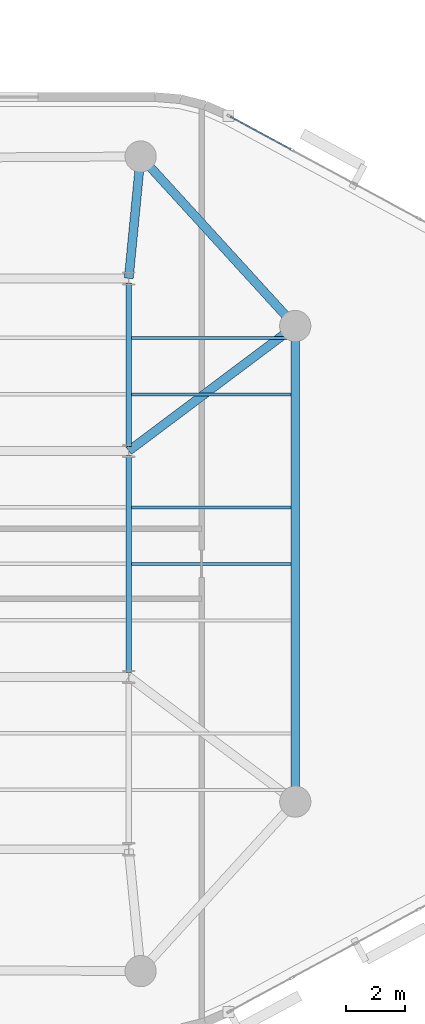
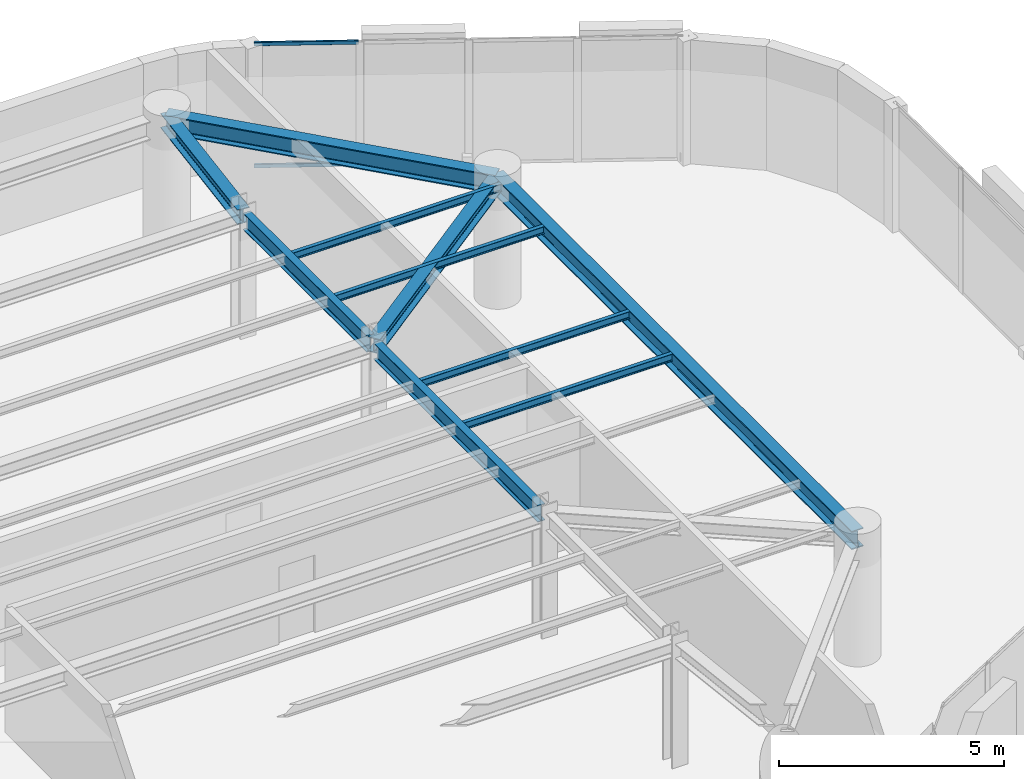
# One storey, part 5 of 13: 10 beams, 2 members, 1 element without a shape of its own.
"""IFC4 building model written with IfcOpenShell, lengths in metres."""

import ifcopenshell
import ifcopenshell.guid

model = None  # the IFC model being written
_history = None  # IfcOwnerHistory: only IFC2X3 demands one
_inside = {}  # id of a spatial element -> (the spatial element, [elements in it])
_under = {}  # id of a project, library or spatial element -> (it, [spatial elements below it])
_declared = {}  # id of a project -> (the project, [libraries it declares])
_typed = {}  # id of a type object -> (the type object, [elements of that type])
_made_of = {}  # id of a material, layer set ... -> (it, [elements and type objects made of it])


def new_model(schema):
    """Start an empty IFC model of exactly this schema.

    Asked for "IFC4X3", IfcOpenShell would pick the latest addendum, in which some entities
    have other attributes; the version numbers below select the first issue.
    IFC2X3 requires an IfcOwnerHistory on every rooted entity: one is made here for all.
    """
    global model, _history
    if schema == "IFC4X3":
        model = ifcopenshell.file(schema_version=(4, 3, 0, 0))
    else:
        model = ifcopenshell.file(schema=schema)
    _inside.clear()
    _under.clear()
    _declared.clear()
    _typed.clear()
    _made_of.clear()
    _history = None
    if model.schema == "IFC2X3":
        org = make("IfcOrganization", Name="unknown")
        user = make(
            "IfcPersonAndOrganization",
            ThePerson=make("IfcPerson", FamilyName="unknown"),
            TheOrganization=org,
        )
        app = make(
            "IfcApplication",
            ApplicationDeveloper=org,
            Version="unknown",
            ApplicationFullName="unknown",
            ApplicationIdentifier="unknown",
        )
        _history = make(
            "IfcOwnerHistory",
            OwningUser=user,
            OwningApplication=app,
            ChangeAction="ADDED",
            CreationDate=0,
        )
    return model


def make(cls, **values):
    """One entity of the class cls with the attributes given. An attribute that is None is left unset."""
    return model.create_entity(
        cls, **{name: value for name, value in values.items() if value is not None}
    )


def rooted(cls, **values):
    """An entity with a GlobalId (a new one), such as an element, a storey or a relation."""
    return make(cls, GlobalId=ifcopenshell.guid.new(), OwnerHistory=_history, **values)


def si_unit(unit_type, name, prefix=None):
    """IfcSIUnit, for example si_unit("LENGTHUNIT", "METRE", prefix="MILLI")."""
    return make("IfcSIUnit", UnitType=unit_type, Prefix=prefix, Name=name)


def assignment(units):
    """IfcUnitAssignment: the units of a project."""
    return None if units is None else make("IfcUnitAssignment", Units=units)


def point(xyz):
    """IfcCartesianPoint."""
    return None if xyz is None else make("IfcCartesianPoint", Coordinates=xyz)


def direction(xyz):
    """IfcDirection."""
    return None if xyz is None else make("IfcDirection", DirectionRatios=xyz)


def frame(location, z_axis=None, x_axis=None):
    """IfcAxis2Placement3D, a coordinate frame: its origin and axes. An axis left out is left unset."""
    return make(
        "IfcAxis2Placement3D",
        Location=point(location),
        Axis=direction(z_axis),
        RefDirection=direction(x_axis),
    )


def frame_2d(location, x_axis=None):
    """IfcAxis2Placement2D, a coordinate frame in the plane: its origin and x axis."""
    return make(
        "IfcAxis2Placement2D", Location=point(location), RefDirection=direction(x_axis)
    )


def origin():
    """The frame at (0, 0, 0) with its axes left unset."""
    return frame((0.0, 0.0, 0.0))


def origin_2d():
    """The frame at (0, 0) in the plane with its x axis left unset."""
    return frame_2d((0.0, 0.0))


def place(relative_to, where):
    """IfcLocalPlacement: puts the frame where relative to a parent placement (None: the world)."""
    return make(
        "IfcLocalPlacement", PlacementRelTo=relative_to, RelativePlacement=where
    )


def context(
    kind, dimensions, precision=None, world=None, true_north=None, identifier=None
):
    """IfcGeometricRepresentationContext, for example the 3D "Model" context."""
    return make(
        "IfcGeometricRepresentationContext",
        ContextIdentifier=identifier,
        ContextType=kind,
        CoordinateSpaceDimension=dimensions,
        Precision=precision,
        WorldCoordinateSystem=world,
        TrueNorth=true_north,
    )


def subcontext(parent, identifier, kind, view, scale=None):
    """IfcGeometricRepresentationSubContext, for example "Body" below "Model"."""
    return make(
        "IfcGeometricRepresentationSubContext",
        ContextIdentifier=identifier,
        ContextType=kind,
        ParentContext=parent,
        TargetScale=scale,
        TargetView=view,
    )


def project(units=None, contexts=None):
    """IfcProject with its units and contexts."""
    return rooted(
        "IfcProject",
        Name="project",
        RepresentationContexts=contexts,
        UnitsInContext=assignment(units),
    )


def spatial(cls, under=None, at=None, **own):
    """A site, building, storey or space (cls), placed at a placement, below another one or the project."""
    s = rooted(cls, ObjectPlacement=at, **own)
    if under is not None:
        _under.setdefault(under.id(), (under, []))[1].append(s)
    return s


def profile(cls, at=None, kind="AREA", **sizes):
    """A parametric profile (cls). Its sizes go by their IFC names, for example OverallWidth=200.0."""
    return make(cls, ProfileType=kind, Position=at, **sizes)


def hollow_rectangle(**sizes):
    """IfcRectangleHollowProfileDef."""
    return profile("IfcRectangleHollowProfileDef", **sizes)


def i_section(**sizes):
    """IfcIShapeProfileDef."""
    return profile("IfcIShapeProfileDef", **sizes)


def extrude(swept, where, along, depth):
    """IfcExtrudedAreaSolid: the profile swept, set in the frame where, extruded along a direction by depth."""
    return make(
        "IfcExtrudedAreaSolid",
        SweptArea=swept,
        Position=where,
        ExtrudedDirection=direction(along),
        Depth=depth,
    )


def shape(context_of_items, identifier, shape_type, items):
    """IfcShapeRepresentation: the items that make up one representation, for example the "Body"."""
    return make(
        "IfcShapeRepresentation",
        ContextOfItems=context_of_items,
        RepresentationIdentifier=identifier,
        RepresentationType=shape_type,
        Items=items,
    )


def material(Name=None, Category=None):
    """IfcMaterial."""
    return make("IfcMaterial", Name=Name, Category=Category)


def layer(
    of_material, thickness, ventilated=None, Name=None, Category=None, Priority=None
):
    """IfcMaterialLayer: one layer of a wall or slab, of a material (None: an air gap)."""
    return make(
        "IfcMaterialLayer",
        Material=of_material,
        LayerThickness=thickness,
        IsVentilated=ventilated,
        Name=Name,
        Category=Category,
        Priority=Priority,
    )


def layer_set(layers, Name=None):
    """IfcMaterialLayerSet."""
    return make("IfcMaterialLayerSet", MaterialLayers=layers, LayerSetName=Name)


def material_profile(
    of_material, cross_section, Name=None, Category=None, Priority=None
):
    """IfcMaterialProfile: a cross section and its material."""
    return make(
        "IfcMaterialProfile",
        Name=Name,
        Material=of_material,
        Profile=cross_section,
        Priority=Priority,
        Category=Category,
    )


def profile_set(profiles, Name=None, composite=None):
    """IfcMaterialProfileSet."""
    return make(
        "IfcMaterialProfileSet",
        Name=Name,
        MaterialProfiles=profiles,
        CompositeProfile=composite,
    )


def made_of(thing, what):
    """Note that an element or type object is made of a material, layer set ...; save() writes the relation."""
    if what is not None:
        _made_of.setdefault(what.id(), (what, []))[1].append(thing)
    return thing


def type_object(cls, material=None, **own):
    """A type object (cls), such as IfcWallType, which elements share."""
    return made_of(rooted(cls, **own), material)


def element(
    cls,
    number,
    at=None,
    inside=None,
    cuts=None,
    type_object=None,
    material=None,
    context=None,
    identifier="Body",
    shape_type=None,
    held_by="IfcProductDefinitionShape",
    body=None,
    shapes=None,
    **own,
):
    """One element of the class cls, such as IfcWall. Its Tag is "e" and its number.

    at: its placement. inside: the storey or other place that contains it. cuts: it is an
    opening in that element (IfcRelVoidsElement). A single representation is given by context,
    identifier, shape_type and body (its items); several are given by shapes. held_by: the class
    of the entity that holds the representations. save() writes the other relations.
    """
    e = rooted(cls, Tag="e%d" % number, ObjectPlacement=at, **own)
    if body is not None:
        shapes = [shape(context, identifier, shape_type, body)]
    if shapes is not None:
        e.Representation = make(held_by, Representations=shapes)
    if inside is not None:
        _inside.setdefault(inside.id(), (inside, []))[1].append(e)
    if cuts is not None:
        rooted(
            "IfcRelVoidsElement", RelatingBuildingElement=cuts, RelatedOpeningElement=e
        )
    if type_object is not None:
        _typed.setdefault(type_object.id(), (type_object, []))[1].append(e)
    return made_of(e, material)


def aggregate(whole, parts):
    """IfcRelAggregates: a whole, such as a stair, and the parts it consists of."""
    return rooted("IfcRelAggregates", RelatingObject=whole, RelatedObjects=parts)


def save(model, path):
    """Write the relations noted so far, then the file.

    IfcRelAggregates (storeys below a building ...), IfcRelContainedInSpatialStructure (elements
    in a storey), IfcRelDefinesByType, IfcRelAssociatesMaterial and IfcRelDeclares: one each for
    every whole, place, type object, material and project.
    """
    for whole, parts in _under.values():
        aggregate(whole, parts)
    for where, things in _inside.values():
        rooted(
            "IfcRelContainedInSpatialStructure",
            RelatedElements=things,
            RelatingStructure=where,
        )
    for kind, things in _typed.values():
        rooted("IfcRelDefinesByType", RelatedObjects=things, RelatingType=kind)
    for what, things in _made_of.values():
        rooted("IfcRelAssociatesMaterial", RelatedObjects=things, RelatingMaterial=what)
    for by, libraries in _declared.values():
        rooted("IfcRelDeclares", RelatingContext=by, RelatedDefinitions=libraries)
    model.write(path)


model = new_model("IFC4")

# Units and contexts
model_context = context("Model", 3, precision=1e-05, world=origin(), true_north=direction((0.0, 1.0)))
body_context = subcontext(model_context, "Body", "Model", "MODEL_VIEW")
ifc_project = project(units=[si_unit("LENGTHUNIT", "METRE"), si_unit("AREAUNIT", "SQUARE_METRE"), si_unit("VOLUMEUNIT", "CUBIC_METRE"), si_unit("PLANEANGLEUNIT", "RADIAN"), si_unit("MASSUNIT", "GRAM", prefix="KILO")], contexts=[model_context])

# Site, building, storey
site_placement = place(None, origin())
site = spatial("IfcSite", under=ifc_project, at=site_placement, CompositionType="ELEMENT")
building_placement = place(site_placement, origin())
building = spatial("IfcBuilding", under=site, at=building_placement, Name="An Khanh Terracotta Commons", CompositionType="ELEMENT")
storey_placement = place(building_placement, frame((0.0, 0.0, 244.5)))
storey = spatial("IfcBuildingStorey", under=building, at=storey_placement, Name="L64", CompositionType="ELEMENT", Elevation=244.5)

# Beams
ifc_material_1 = material(Name="Steel S355J2", Category="steel")
ifc_material_profile_1 = material_profile(ifc_material_1, i_section(OverallWidth=0.300048828125, OverallDepth=0.39990234375, WebThickness=0.013427734375, FlangeThickness=0.02392578125, FilletRadius=0.027099609375, at=origin_2d()), Name="HEB400")
ifc_profile_set_1 = profile_set([ifc_material_profile_1], Name="Steel S355J2")
beam_type_1 = type_object("IfcBeamType", Name="BM-HEB400", PredefinedType="BEAM", material=ifc_profile_set_1)
beam_1_placement = place(storey_placement, frame((59.60009765625, 32.0, 3.159912109375), z_axis=(-0.800008370399, -0.599988839305, 0.0), x_axis=(0.599988839305, -0.800008370399, 0.0)))
element("IfcBeam", 1, at=beam_1_placement, inside=storey, type_object=beam_type_1, Name="L64 Mega-Column Tie Girder 4", PredefinedType="BEAM", context=body_context, shape_type="SweptSolid", body=[
    extrude(i_section(OverallWidth=0.300048828125, OverallDepth=0.39990234375, WebThickness=0.013427734375, FlangeThickness=0.02392578125, FilletRadius=0.027099609375, at=origin_2d()), origin(), (0.0, 0.0, 1.0), 7.0),
])
beam_2_placement = place(storey_placement, frame((54.39990234375, 37.699951171875, 3.159912109375), z_axis=(-0.097079917443, -0.995276589511, 0.0), x_axis=(0.995276589511, -0.097079917443, 0.0)))
element("IfcBeam", 2, at=beam_2_placement, inside=storey, type_object=beam_type_1, Name="L64 Mega-Column Tie Girder 5", PredefinedType="BEAM", context=body_context, shape_type="SweptSolid", body=[
    extrude(i_section(OverallWidth=0.300048828125, OverallDepth=0.39990234375, WebThickness=0.013427734375, FlangeThickness=0.02392578125, FilletRadius=0.027099609375, at=origin_2d()), origin(), (0.0, 0.0, 1.0), 4.119384765625),
])
ifc_material_profile_2 = material_profile(ifc_material_1, i_section(OverallWidth=0.300048828125, OverallDepth=0.5, WebThickness=0.014404296875, FlangeThickness=0.028076171875, FilletRadius=0.027099609375, at=origin_2d()), Name="HEB500")
ifc_profile_set_2 = profile_set([ifc_material_profile_2], Name="Steel S355J2")
beam_type_2 = type_object("IfcBeamType", Name="BM-HEB500", PredefinedType="BEAM", material=ifc_profile_set_2)
beam_3_placement = place(storey_placement, frame((59.60009765625, 16.0, 3.110107421875), z_axis=(0.0, 1.0, 0.0), x_axis=(-1.0, 0.0, 0.0)))
element("IfcBeam", 3, at=beam_3_placement, inside=storey, type_object=beam_type_2, Name="L64 Perimeter Ring Spandrel 3", PredefinedType="BEAM", context=body_context, shape_type="SweptSolid", body=[
    extrude(i_section(OverallWidth=0.300048828125, OverallDepth=0.5, WebThickness=0.014404296875, FlangeThickness=0.028076171875, FilletRadius=0.027099609375, at=origin_2d()), origin(), (0.0, 0.0, 1.0), 16.0),
])
beam_4_placement = place(storey_placement, frame((59.60009765625, 32.0, 3.110107421875), z_axis=(-0.673978953902, 0.738750546326, 0.0), x_axis=(-0.738750546326, -0.673978953902, 0.0)))
element("IfcBeam", 4, at=beam_4_placement, inside=storey, type_object=beam_type_2, Name="L64 Perimeter Ring Spandrel 4", PredefinedType="BEAM", context=body_context, shape_type="SweptSolid", body=[
    extrude(i_section(OverallWidth=0.300048828125, OverallDepth=0.5, WebThickness=0.014404296875, FlangeThickness=0.028076171875, FilletRadius=0.027099609375, at=origin_2d()), origin(), (0.0, 0.0, 1.0), 7.715576171875),
])
ifc_material_profile_3 = material_profile(ifc_material_1, i_section(OverallWidth=0.10009765625, OverallDepth=0.199951171875, WebThickness=0.005615234375, FlangeThickness=0.008544921875, FilletRadius=0.011962890625, at=origin_2d()), Name="IPE200")
ifc_profile_set_3 = profile_set([ifc_material_profile_3], Name="Steel S355J2")
beam_type_3 = type_object("IfcBeamType", Name="BM-IPE200", PredefinedType="JOIST", material=ifc_profile_set_3)
for number, where, z_axis, x_axis, name in (
    (5, (54.094970703125, 24.0, 3.260009765625), (1.0, 0.0, 0.0), (0.0, 1.0, 0.0), "L64 Riverfront Composite Joist 4"),
    (6, (54.094970703125, 25.89990234375, 3.260009765625), (1.0, 0.0, 0.0), (0.0, 1.0, 0.0), "L64 Riverfront Composite Joist 5"),
    (7, (54.094970703125, 29.699951171875, 3.260009765625), (1.0, 0.0, 0.0), (0.0, 1.0, 0.0), "L64 Riverfront Composite Joist 6"),
    (8, (54.094970703125, 31.60009765625, 3.260009765625), (1.0, 0.0, 0.0), (0.0, 1.0, 0.0), "L64 Riverfront Composite Joist 7"),
):
    element("IfcBeam", number, at=place(storey_placement, frame(where, z_axis=z_axis, x_axis=x_axis)), inside=storey, type_object=beam_type_3, Name=name, PredefinedType="JOIST", context=body_context, shape_type="SweptSolid", body=[
        extrude(i_section(OverallWidth=0.10009765625, OverallDepth=0.199951171875, WebThickness=0.005615234375, FlangeThickness=0.008544921875, FilletRadius=0.011962890625, at=origin_2d()), origin(), (0.0, 0.0, 1.0), 5.35498046875),
    ])
ifc_material_profile_4 = material_profile(ifc_material_1, i_section(OverallWidth=0.18994140625, OverallDepth=0.449951171875, WebThickness=0.009521484375, FlangeThickness=0.0146484375, FilletRadius=0.02099609375, at=origin_2d()), Name="IPE450")
ifc_profile_set_4 = profile_set([ifc_material_profile_4], Name="Steel S355J2")
beam_type_4 = type_object("IfcBeamType", Name="BM-IPE450", PredefinedType="JOIST", material=ifc_profile_set_4)
beam_5_placement = place(storey_placement, frame((54.0, 20.35009765625, 3.135009765625), z_axis=(0.0, 1.0, 0.0), x_axis=(-1.0, 0.0, 0.0)))
element("IfcBeam", 9, at=beam_5_placement, inside=storey, type_object=beam_type_4, Name="L64 East Spine Girder 2", PredefinedType="JOIST", context=body_context, shape_type="SweptSolid", body=[
    extrude(i_section(OverallWidth=0.18994140625, OverallDepth=0.449951171875, WebThickness=0.009521484375, FlangeThickness=0.0146484375, FilletRadius=0.02099609375, at=origin_2d()), origin(), (0.0, 0.0, 1.0), 7.2998046875),
])
beam_6_placement = place(storey_placement, frame((54.0, 27.949951171875, 3.135009765625), z_axis=(0.0, 1.0, 0.0), x_axis=(-1.0, 0.0, 0.0)))
element("IfcBeam", 10, at=beam_6_placement, inside=storey, type_object=beam_type_4, Name="L64 East Spine Girder 3", PredefinedType="JOIST", context=body_context, shape_type="SweptSolid", body=[
    extrude(i_section(OverallWidth=0.18994140625, OverallDepth=0.449951171875, WebThickness=0.009521484375, FlangeThickness=0.0146484375, FilletRadius=0.02099609375, at=origin_2d()), origin(), (0.0, 0.0, 1.0), 5.5),
])

# Curtain wall, members
ifc_material_2 = material(Name="Anodised Aluminium 6063-T6", Category="aluminium")
ifc_layer = layer(ifc_material_2, 0.2099609375, Name="Anodised Aluminium 6063-T6")
ifc_layer_set = layer_set([ifc_layer], Name="Anodised Aluminium 6063-T6")
curtain_wall_type = type_object("IfcCurtainWallType", Name="CW-SYS-03", PredefinedType="USERDEFINED", material=ifc_layer_set)
curtain_wall_placement = place(storey_placement, origin())
curtain_wall = element("IfcCurtainWall", 11, at=curtain_wall_placement, inside=storey, type_object=curtain_wall_type, Name="L64 CW-03 Unitised Curtain Wall CW-L64-16", ObjectType="UNITISED CURTAIN WALL", PredefinedType="USERDEFINED")
ifc_material_profile_5 = material_profile(ifc_material_2, hollow_rectangle(XDim=0.050048828125, YDim=0.10009765625, WallThickness=0.003173828125, InnerFilletRadius=0.003173828125, OuterFilletRadius=0.00634765625, at=origin_2d()), Name="RHS100x50x3.2")
ifc_profile_set_5 = profile_set([ifc_material_profile_5], Name="Anodised Aluminium 6063-T6")
member_type = type_object("IfcMemberType", Name="CWT-RHS100x50x3.2", PredefinedType="USERDEFINED", material=ifc_profile_set_5)
member_1_placement = place(storey_placement, frame((59.455078125, 37.94140625, 0.02490234375), z_axis=(-0.879779245677, 0.475382455373, 0.0), x_axis=(-0.475382455373, -0.879779245677, 0.0)))
member_1 = element("IfcMember", 12, at=member_1_placement, type_object=member_type, Name="CW-03 transom 4.1", ObjectType="TRANSOM", PredefinedType="USERDEFINED", context=body_context, shape_type="SweptSolid", body=[
    extrude(hollow_rectangle(XDim=0.050048828125, YDim=0.10009765625, WallThickness=0.003173828125, InnerFilletRadius=0.003173828125, OuterFilletRadius=0.00634765625, at=origin_2d()), origin(), (0.0, 0.0, 1.0), 2.314697265625),
])
member_2_placement = place(storey_placement, frame((59.455078125, 37.94140625, 3.3349609375), z_axis=(-0.879779245677, 0.475382455373, 0.0), x_axis=(-0.475382455373, -0.879779245677, 0.0)))
member_2 = element("IfcMember", 13, at=member_2_placement, type_object=member_type, Name="CW-03 transom 4.2", ObjectType="TRANSOM", PredefinedType="USERDEFINED", context=body_context, shape_type="SweptSolid", body=[
    extrude(hollow_rectangle(XDim=0.050048828125, YDim=0.10009765625, WallThickness=0.003173828125, InnerFilletRadius=0.003173828125, OuterFilletRadius=0.00634765625, at=origin_2d()), origin(), (0.0, 0.0, 1.0), 2.314697265625),
])
aggregate(curtain_wall, [member_1, member_2])

save(model, "model.ifc")
